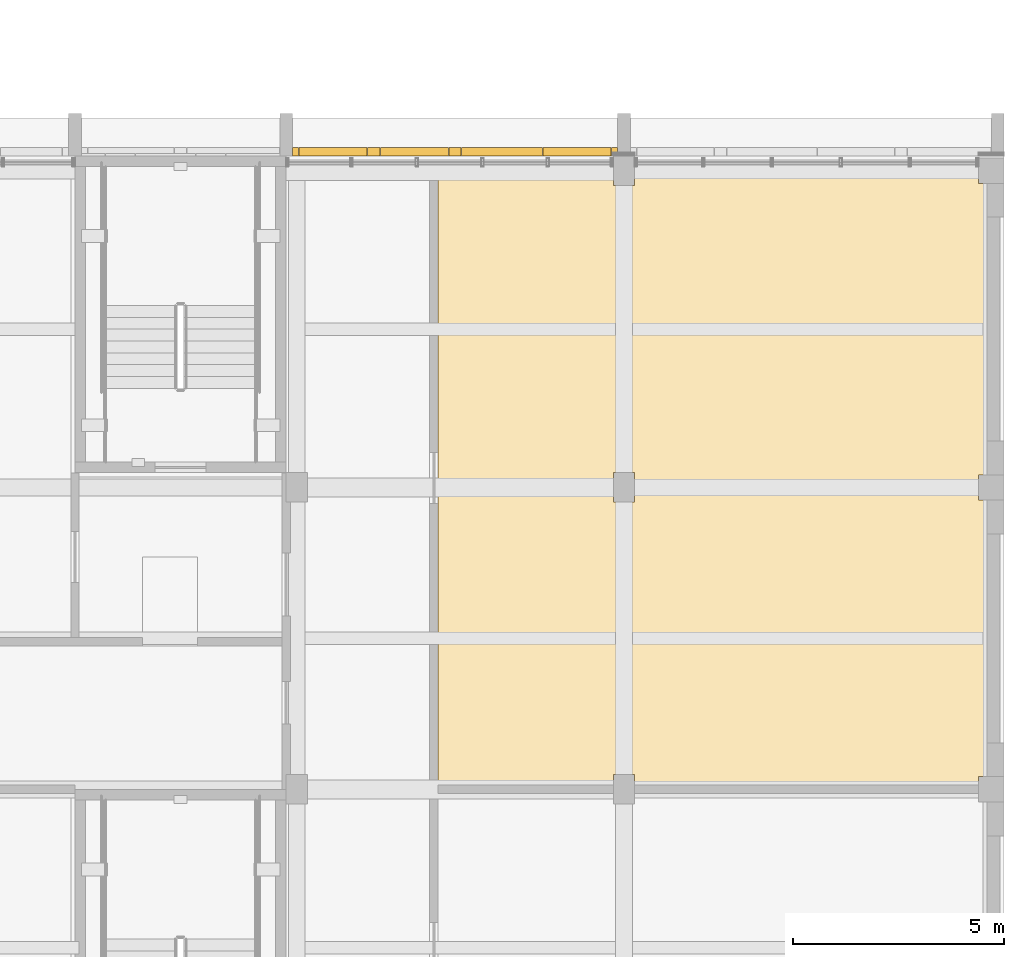
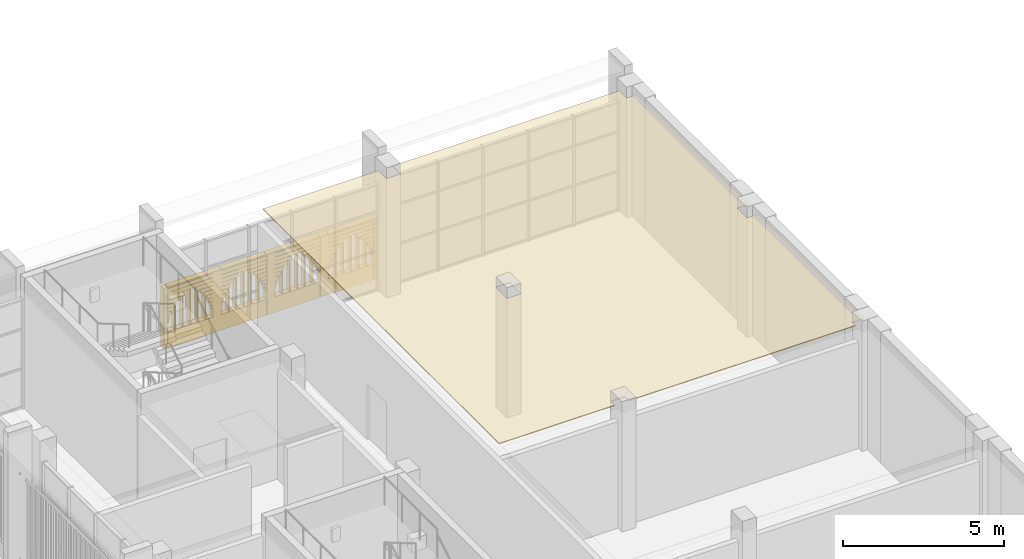
# One storey, part 124 of 125: 2 coverings.
"""IFC4 building model written with IfcOpenShell, lengths in metres."""

from ifc_helpers import new_model, si_unit, direction, frame, origin, origin_2d, place, context, subcontext, project, spatial, polyline, rectangle, outline, extrude, material, layer, layer_set, type_object, element, save


model = new_model("IFC4")

# Units and contexts
model_context = context("Model", 3, precision=1e-05, world=origin(), true_north=direction((0.0, 1.0)))
body_context = subcontext(model_context, "Body", "Model", "MODEL_VIEW")
ifc_project = project(units=[si_unit("LENGTHUNIT", "METRE"), si_unit("AREAUNIT", "SQUARE_METRE"), si_unit("VOLUMEUNIT", "CUBIC_METRE"), si_unit("PLANEANGLEUNIT", "RADIAN"), si_unit("MASSUNIT", "GRAM", prefix="KILO")], contexts=[model_context])

# Site, building, storey
site_placement = place(None, origin())
site = spatial("IfcSite", under=ifc_project, at=site_placement, CompositionType="ELEMENT")
building_placement = place(site_placement, origin())
building = spatial("IfcBuilding", under=site, at=building_placement, Name="Sun Court Science Centre", CompositionType="ELEMENT")
storey_placement = place(building_placement, frame((0.0, 0.0, 6.0)))
storey = spatial("IfcBuildingStorey", under=building, at=storey_placement, Name="L01", CompositionType="ELEMENT", Elevation=6.0)

# Coverings
ifc_material_1 = material(Name="Red sandstone", Category="masonry")
ifc_layer_1 = layer(ifc_material_1, 0.199951171875)
ifc_layer_set_1 = layer_set([ifc_layer_1], Name="Red sandstone")
covering_type_1 = type_object("IfcCoveringType", Name="Arched jali screen 200", PredefinedType="CLADDING", material=ifc_layer_set_1)
covering_1_placement = place(storey_placement, frame((0.0, 0.0, -6.0)))
element("IfcCovering", 1, at=covering_1_placement, inside=storey, type_object=covering_type_1, Name="Arched jali screen north L01 03", PredefinedType="CLADDING", context=body_context, shape_type="SweptSolid", body=[
    extrude(rectangle(XDim=0.139892578125, YDim=0.199951171875, at=origin_2d()), frame((87.22509765625, 81.10009765625, 6.304931640625), z_axis=(0.0, 0.0, 1.0), x_axis=(1.0, 0.0, 0.0)), (0.0, 0.0, 1.0), 2.29736328125),
    extrude(rectangle(XDim=0.2900390625, YDim=0.199951171875, at=origin_2d()), frame((89.074951171875, 81.10009765625, 6.304931640625), z_axis=(0.0, 0.0, 1.0), x_axis=(1.0, 0.0, 0.0)), (0.0, 0.0, 1.0), 2.29736328125),
    extrude(rectangle(XDim=0.2900390625, YDim=0.199951171875, at=origin_2d()), frame((91.0, 81.10009765625, 6.304931640625), z_axis=(0.0, 0.0, 1.0), x_axis=(1.0, 0.0, 0.0)), (0.0, 0.0, 1.0), 2.29736328125),
    extrude(rectangle(XDim=0.2900390625, YDim=0.199951171875, at=origin_2d()), frame((92.925048828125, 81.10009765625, 6.304931640625), z_axis=(0.0, 0.0, 1.0), x_axis=(1.0, 0.0, 0.0)), (0.0, 0.0, 1.0), 2.29736328125),
    extrude(rectangle(XDim=0.139892578125, YDim=0.199951171875, at=origin_2d()), frame((94.77490234375, 81.10009765625, 6.304931640625), z_axis=(0.0, 0.0, 1.0), x_axis=(1.0, 0.0, 0.0)), (0.0, 0.0, 1.0), 2.29736328125),
    extrude(rectangle(XDim=1.614990234375, YDim=0.199951171875, at=origin_2d()), frame((88.112548828125, 81.10009765625, 6.30517578125), z_axis=(0.0, 0.0, 1.0), x_axis=(1.0, 0.0, 0.0)), (0.0, 0.0, 1.0), 0.590087890625),
    extrude(rectangle(XDim=0.033935546875, YDim=0.199951171875, at=origin_2d()), frame((87.322021484375, 81.10009765625, 7.205078125), z_axis=(0.0, 0.0, 1.0), x_axis=(1.0, 0.0, 0.0)), (0.0, 0.0, 1.0), 0.139892578125),
    extrude(rectangle(XDim=0.033935546875, YDim=0.199951171875, at=origin_2d()), frame((88.903076171875, 81.10009765625, 7.205078125), z_axis=(0.0, 0.0, 1.0), x_axis=(1.0, 0.0, 0.0)), (0.0, 0.0, 1.0), 0.139892578125),
    extrude(rectangle(XDim=0.0771484375, YDim=0.199951171875, at=origin_2d()), frame((87.343505859375, 81.10009765625, 7.35498046875), z_axis=(0.0, 0.0, 1.0), x_axis=(1.0, 0.0, 0.0)), (0.0, 0.0, 1.0), 0.139892578125),
    extrude(rectangle(XDim=0.0771484375, YDim=0.199951171875, at=origin_2d()), frame((88.88134765625, 81.10009765625, 7.35498046875), z_axis=(0.0, 0.0, 1.0), x_axis=(1.0, 0.0, 0.0)), (0.0, 0.0, 1.0), 0.139892578125),
    extrude(rectangle(XDim=0.13671875, YDim=0.199951171875, at=origin_2d()), frame((87.373291015625, 81.10009765625, 7.5048828125), z_axis=(0.0, 0.0, 1.0), x_axis=(1.0, 0.0, 0.0)), (0.0, 0.0, 1.0), 0.139892578125),
    extrude(rectangle(XDim=0.13671875, YDim=0.199951171875, at=origin_2d()), frame((88.8515625, 81.10009765625, 7.5048828125), z_axis=(0.0, 0.0, 1.0), x_axis=(1.0, 0.0, 0.0)), (0.0, 0.0, 1.0), 0.139892578125),
    extrude(rectangle(XDim=0.215087890625, YDim=0.199951171875, at=origin_2d()), frame((87.41259765625, 81.10009765625, 7.6552734375), z_axis=(0.0, 0.0, 1.0), x_axis=(1.0, 0.0, 0.0)), (0.0, 0.0, 1.0), 0.139892578125),
    extrude(rectangle(XDim=0.215087890625, YDim=0.199951171875, at=origin_2d()), frame((88.8125, 81.10009765625, 7.6552734375), z_axis=(0.0, 0.0, 1.0), x_axis=(1.0, 0.0, 0.0)), (0.0, 0.0, 1.0), 0.139892578125),
    extrude(rectangle(XDim=0.31494140625, YDim=0.199951171875, at=origin_2d()), frame((87.46240234375, 81.10009765625, 7.80517578125), z_axis=(0.0, 0.0, 1.0), x_axis=(1.0, 0.0, 0.0)), (0.0, 0.0, 1.0), 0.139892578125),
    extrude(rectangle(XDim=0.31494140625, YDim=0.199951171875, at=origin_2d()), frame((88.762451171875, 81.10009765625, 7.80517578125), z_axis=(0.0, 0.0, 1.0), x_axis=(1.0, 0.0, 0.0)), (0.0, 0.0, 1.0), 0.139892578125),
    extrude(rectangle(XDim=0.4423828125, YDim=0.199951171875, at=origin_2d()), frame((87.526123046875, 81.10009765625, 7.955078125), z_axis=(0.0, 0.0, 1.0), x_axis=(1.0, 0.0, 0.0)), (0.0, 0.0, 1.0), 0.139892578125),
    extrude(rectangle(XDim=0.4423828125, YDim=0.199951171875, at=origin_2d()), frame((88.69873046875, 81.10009765625, 7.955078125), z_axis=(0.0, 0.0, 1.0), x_axis=(1.0, 0.0, 0.0)), (0.0, 0.0, 1.0), 0.139892578125),
    extrude(rectangle(XDim=0.607421875, YDim=0.199951171875, at=origin_2d()), frame((87.608642578125, 81.10009765625, 8.10498046875), z_axis=(0.0, 0.0, 1.0), x_axis=(1.0, 0.0, 0.0)), (0.0, 0.0, 1.0), 0.139892578125),
    extrude(rectangle(XDim=0.607421875, YDim=0.199951171875, at=origin_2d()), frame((88.6162109375, 81.10009765625, 8.10498046875), z_axis=(0.0, 0.0, 1.0), x_axis=(1.0, 0.0, 0.0)), (0.0, 0.0, 1.0), 0.139892578125),
    extrude(rectangle(XDim=1.614990234375, YDim=0.199951171875, at=origin_2d()), frame((88.112548828125, 81.10009765625, 8.2548828125), z_axis=(0.0, 0.0, 1.0), x_axis=(1.0, 0.0, 0.0)), (0.0, 0.0, 1.0), 0.139892578125),
    extrude(rectangle(XDim=1.614990234375, YDim=0.199951171875, at=origin_2d()), frame((88.112548828125, 81.10009765625, 8.4052734375), z_axis=(0.0, 0.0, 1.0), x_axis=(1.0, 0.0, 0.0)), (0.0, 0.0, 1.0), 0.139892578125),
    extrude(rectangle(XDim=1.614990234375, YDim=0.199951171875, at=origin_2d()), frame((88.112548828125, 81.10009765625, 8.554931640625), z_axis=(0.0, 0.0, 1.0), x_axis=(1.0, 0.0, 0.0)), (0.0, 0.0, 1.0), 0.04736328125),
    extrude(rectangle(XDim=0.0400390625, YDim=0.199951171875, at=origin_2d()), frame((87.57080078125, 81.10009765625, 6.905029296875), z_axis=(0.0, 0.0, 1.0), x_axis=(1.0, 0.0, 0.0)), (0.0, 0.0, 1.0), 0.88818359375),
    extrude(rectangle(XDim=0.0400390625, YDim=0.199951171875, at=origin_2d()), frame((87.841552734375, 81.10009765625, 6.905029296875), z_axis=(0.0, 0.0, 1.0), x_axis=(1.0, 0.0, 0.0)), (0.0, 0.0, 1.0), 1.201171875),
    extrude(rectangle(XDim=0.0400390625, YDim=0.199951171875, at=origin_2d()), frame((88.112548828125, 81.10009765625, 6.9052734375), z_axis=(0.0, 0.0, 1.0), x_axis=(1.0, 0.0, 0.0)), (0.0, 0.0, 1.0), 1.397216796875),
    extrude(rectangle(XDim=0.0400390625, YDim=0.199951171875, at=origin_2d()), frame((88.38330078125, 81.10009765625, 6.905029296875), z_axis=(0.0, 0.0, 1.0), x_axis=(1.0, 0.0, 0.0)), (0.0, 0.0, 1.0), 1.201171875),
    extrude(rectangle(XDim=0.0400390625, YDim=0.199951171875, at=origin_2d()), frame((88.654052734375, 81.10009765625, 6.905029296875), z_axis=(0.0, 0.0, 1.0), x_axis=(1.0, 0.0, 0.0)), (0.0, 0.0, 1.0), 0.88818359375),
    extrude(rectangle(XDim=1.614990234375, YDim=0.199951171875, at=origin_2d()), frame((90.03759765625, 81.10009765625, 6.30517578125), z_axis=(0.0, 0.0, 1.0), x_axis=(1.0, 0.0, 0.0)), (0.0, 0.0, 1.0), 0.590087890625),
    extrude(rectangle(XDim=0.033935546875, YDim=0.199951171875, at=origin_2d()), frame((89.246826171875, 81.10009765625, 7.205078125), z_axis=(0.0, 0.0, 1.0), x_axis=(1.0, 0.0, 0.0)), (0.0, 0.0, 1.0), 0.139892578125),
    extrude(rectangle(XDim=0.033935546875, YDim=0.199951171875, at=origin_2d()), frame((90.828125, 81.10009765625, 7.205078125), z_axis=(0.0, 0.0, 1.0), x_axis=(1.0, 0.0, 0.0)), (0.0, 0.0, 1.0), 0.139892578125),
    extrude(rectangle(XDim=0.0771484375, YDim=0.199951171875, at=origin_2d()), frame((89.2685546875, 81.10009765625, 7.35498046875), z_axis=(0.0, 0.0, 1.0), x_axis=(1.0, 0.0, 0.0)), (0.0, 0.0, 1.0), 0.139892578125),
    extrude(rectangle(XDim=0.0771484375, YDim=0.199951171875, at=origin_2d()), frame((90.806396484375, 81.10009765625, 7.35498046875), z_axis=(0.0, 0.0, 1.0), x_axis=(1.0, 0.0, 0.0)), (0.0, 0.0, 1.0), 0.139892578125),
    extrude(rectangle(XDim=0.13671875, YDim=0.199951171875, at=origin_2d()), frame((89.29833984375, 81.10009765625, 7.5048828125), z_axis=(0.0, 0.0, 1.0), x_axis=(1.0, 0.0, 0.0)), (0.0, 0.0, 1.0), 0.139892578125),
    extrude(rectangle(XDim=0.13671875, YDim=0.199951171875, at=origin_2d()), frame((90.776611328125, 81.10009765625, 7.5048828125), z_axis=(0.0, 0.0, 1.0), x_axis=(1.0, 0.0, 0.0)), (0.0, 0.0, 1.0), 0.139892578125),
    extrude(rectangle(XDim=0.215087890625, YDim=0.199951171875, at=origin_2d()), frame((89.33740234375, 81.10009765625, 7.6552734375), z_axis=(0.0, 0.0, 1.0), x_axis=(1.0, 0.0, 0.0)), (0.0, 0.0, 1.0), 0.139892578125),
    extrude(rectangle(XDim=0.215087890625, YDim=0.199951171875, at=origin_2d()), frame((90.737548828125, 81.10009765625, 7.6552734375), z_axis=(0.0, 0.0, 1.0), x_axis=(1.0, 0.0, 0.0)), (0.0, 0.0, 1.0), 0.139892578125),
    extrude(rectangle(XDim=0.31494140625, YDim=0.199951171875, at=origin_2d()), frame((89.387451171875, 81.10009765625, 7.80517578125), z_axis=(0.0, 0.0, 1.0), x_axis=(1.0, 0.0, 0.0)), (0.0, 0.0, 1.0), 0.139892578125),
    extrude(rectangle(XDim=0.31494140625, YDim=0.199951171875, at=origin_2d()), frame((90.6875, 81.10009765625, 7.80517578125), z_axis=(0.0, 0.0, 1.0), x_axis=(1.0, 0.0, 0.0)), (0.0, 0.0, 1.0), 0.139892578125),
    extrude(rectangle(XDim=0.4423828125, YDim=0.199951171875, at=origin_2d()), frame((89.451171875, 81.10009765625, 7.955078125), z_axis=(0.0, 0.0, 1.0), x_axis=(1.0, 0.0, 0.0)), (0.0, 0.0, 1.0), 0.139892578125),
    extrude(rectangle(XDim=0.4423828125, YDim=0.199951171875, at=origin_2d()), frame((90.623779296875, 81.10009765625, 7.955078125), z_axis=(0.0, 0.0, 1.0), x_axis=(1.0, 0.0, 0.0)), (0.0, 0.0, 1.0), 0.139892578125),
    extrude(rectangle(XDim=0.607421875, YDim=0.199951171875, at=origin_2d()), frame((89.53369140625, 81.10009765625, 8.10498046875), z_axis=(0.0, 0.0, 1.0), x_axis=(1.0, 0.0, 0.0)), (0.0, 0.0, 1.0), 0.139892578125),
    extrude(rectangle(XDim=0.607421875, YDim=0.199951171875, at=origin_2d()), frame((90.541259765625, 81.10009765625, 8.10498046875), z_axis=(0.0, 0.0, 1.0), x_axis=(1.0, 0.0, 0.0)), (0.0, 0.0, 1.0), 0.139892578125),
    extrude(rectangle(XDim=1.614990234375, YDim=0.199951171875, at=origin_2d()), frame((90.03759765625, 81.10009765625, 8.2548828125), z_axis=(0.0, 0.0, 1.0), x_axis=(1.0, 0.0, 0.0)), (0.0, 0.0, 1.0), 0.139892578125),
    extrude(rectangle(XDim=1.614990234375, YDim=0.199951171875, at=origin_2d()), frame((90.03759765625, 81.10009765625, 8.4052734375), z_axis=(0.0, 0.0, 1.0), x_axis=(1.0, 0.0, 0.0)), (0.0, 0.0, 1.0), 0.139892578125),
    extrude(rectangle(XDim=1.614990234375, YDim=0.199951171875, at=origin_2d()), frame((90.03759765625, 81.10009765625, 8.554931640625), z_axis=(0.0, 0.0, 1.0), x_axis=(1.0, 0.0, 0.0)), (0.0, 0.0, 1.0), 0.04736328125),
    extrude(rectangle(XDim=0.0400390625, YDim=0.199951171875, at=origin_2d()), frame((89.495849609375, 81.10009765625, 6.905029296875), z_axis=(0.0, 0.0, 1.0), x_axis=(1.0, 0.0, 0.0)), (0.0, 0.0, 1.0), 0.88818359375),
    extrude(rectangle(XDim=0.0400390625, YDim=0.199951171875, at=origin_2d()), frame((89.7666015625, 81.10009765625, 6.905029296875), z_axis=(0.0, 0.0, 1.0), x_axis=(1.0, 0.0, 0.0)), (0.0, 0.0, 1.0), 1.201171875),
    extrude(rectangle(XDim=0.0400390625, YDim=0.199951171875, at=origin_2d()), frame((90.03759765625, 81.10009765625, 6.9052734375), z_axis=(0.0, 0.0, 1.0), x_axis=(1.0, 0.0, 0.0)), (0.0, 0.0, 1.0), 1.397216796875),
    extrude(rectangle(XDim=0.0400390625, YDim=0.199951171875, at=origin_2d()), frame((90.308349609375, 81.10009765625, 6.905029296875), z_axis=(0.0, 0.0, 1.0), x_axis=(1.0, 0.0, 0.0)), (0.0, 0.0, 1.0), 1.201171875),
    extrude(rectangle(XDim=0.0400390625, YDim=0.199951171875, at=origin_2d()), frame((90.5791015625, 81.10009765625, 6.905029296875), z_axis=(0.0, 0.0, 1.0), x_axis=(1.0, 0.0, 0.0)), (0.0, 0.0, 1.0), 0.88818359375),
    extrude(rectangle(XDim=1.614990234375, YDim=0.199951171875, at=origin_2d()), frame((91.96240234375, 81.10009765625, 6.30517578125), z_axis=(0.0, 0.0, 1.0), x_axis=(1.0, 0.0, 0.0)), (0.0, 0.0, 1.0), 0.590087890625),
    extrude(rectangle(XDim=0.033935546875, YDim=0.199951171875, at=origin_2d()), frame((91.171875, 81.10009765625, 7.205078125), z_axis=(0.0, 0.0, 1.0), x_axis=(1.0, 0.0, 0.0)), (0.0, 0.0, 1.0), 0.139892578125),
    extrude(rectangle(XDim=0.033935546875, YDim=0.199951171875, at=origin_2d()), frame((92.753173828125, 81.10009765625, 7.205078125), z_axis=(0.0, 0.0, 1.0), x_axis=(1.0, 0.0, 0.0)), (0.0, 0.0, 1.0), 0.139892578125),
    extrude(rectangle(XDim=0.0771484375, YDim=0.199951171875, at=origin_2d()), frame((91.193603515625, 81.10009765625, 7.35498046875), z_axis=(0.0, 0.0, 1.0), x_axis=(1.0, 0.0, 0.0)), (0.0, 0.0, 1.0), 0.139892578125),
    extrude(rectangle(XDim=0.0771484375, YDim=0.199951171875, at=origin_2d()), frame((92.7314453125, 81.10009765625, 7.35498046875), z_axis=(0.0, 0.0, 1.0), x_axis=(1.0, 0.0, 0.0)), (0.0, 0.0, 1.0), 0.139892578125),
    extrude(rectangle(XDim=0.13671875, YDim=0.199951171875, at=origin_2d()), frame((91.223388671875, 81.10009765625, 7.5048828125), z_axis=(0.0, 0.0, 1.0), x_axis=(1.0, 0.0, 0.0)), (0.0, 0.0, 1.0), 0.139892578125),
    extrude(rectangle(XDim=0.13671875, YDim=0.199951171875, at=origin_2d()), frame((92.70166015625, 81.10009765625, 7.5048828125), z_axis=(0.0, 0.0, 1.0), x_axis=(1.0, 0.0, 0.0)), (0.0, 0.0, 1.0), 0.139892578125),
    extrude(rectangle(XDim=0.215087890625, YDim=0.199951171875, at=origin_2d()), frame((91.262451171875, 81.10009765625, 7.6552734375), z_axis=(0.0, 0.0, 1.0), x_axis=(1.0, 0.0, 0.0)), (0.0, 0.0, 1.0), 0.139892578125),
    extrude(rectangle(XDim=0.215087890625, YDim=0.199951171875, at=origin_2d()), frame((92.66259765625, 81.10009765625, 7.6552734375), z_axis=(0.0, 0.0, 1.0), x_axis=(1.0, 0.0, 0.0)), (0.0, 0.0, 1.0), 0.139892578125),
    extrude(rectangle(XDim=0.31494140625, YDim=0.199951171875, at=origin_2d()), frame((91.3125, 81.10009765625, 7.80517578125), z_axis=(0.0, 0.0, 1.0), x_axis=(1.0, 0.0, 0.0)), (0.0, 0.0, 1.0), 0.139892578125),
    extrude(rectangle(XDim=0.31494140625, YDim=0.199951171875, at=origin_2d()), frame((92.612548828125, 81.10009765625, 7.80517578125), z_axis=(0.0, 0.0, 1.0), x_axis=(1.0, 0.0, 0.0)), (0.0, 0.0, 1.0), 0.139892578125),
    extrude(rectangle(XDim=0.4423828125, YDim=0.199951171875, at=origin_2d()), frame((91.376220703125, 81.10009765625, 7.955078125), z_axis=(0.0, 0.0, 1.0), x_axis=(1.0, 0.0, 0.0)), (0.0, 0.0, 1.0), 0.139892578125),
    extrude(rectangle(XDim=0.4423828125, YDim=0.199951171875, at=origin_2d()), frame((92.548828125, 81.10009765625, 7.955078125), z_axis=(0.0, 0.0, 1.0), x_axis=(1.0, 0.0, 0.0)), (0.0, 0.0, 1.0), 0.139892578125),
    extrude(rectangle(XDim=0.607421875, YDim=0.199951171875, at=origin_2d()), frame((91.458740234375, 81.10009765625, 8.10498046875), z_axis=(0.0, 0.0, 1.0), x_axis=(1.0, 0.0, 0.0)), (0.0, 0.0, 1.0), 0.139892578125),
    extrude(rectangle(XDim=0.607421875, YDim=0.199951171875, at=origin_2d()), frame((92.46630859375, 81.10009765625, 8.10498046875), z_axis=(0.0, 0.0, 1.0), x_axis=(1.0, 0.0, 0.0)), (0.0, 0.0, 1.0), 0.139892578125),
    extrude(rectangle(XDim=1.614990234375, YDim=0.199951171875, at=origin_2d()), frame((91.96240234375, 81.10009765625, 8.2548828125), z_axis=(0.0, 0.0, 1.0), x_axis=(1.0, 0.0, 0.0)), (0.0, 0.0, 1.0), 0.139892578125),
    extrude(rectangle(XDim=1.614990234375, YDim=0.199951171875, at=origin_2d()), frame((91.96240234375, 81.10009765625, 8.4052734375), z_axis=(0.0, 0.0, 1.0), x_axis=(1.0, 0.0, 0.0)), (0.0, 0.0, 1.0), 0.139892578125),
    extrude(rectangle(XDim=1.614990234375, YDim=0.199951171875, at=origin_2d()), frame((91.96240234375, 81.10009765625, 8.554931640625), z_axis=(0.0, 0.0, 1.0), x_axis=(1.0, 0.0, 0.0)), (0.0, 0.0, 1.0), 0.04736328125),
    extrude(rectangle(XDim=0.0400390625, YDim=0.199951171875, at=origin_2d()), frame((91.4208984375, 81.10009765625, 6.905029296875), z_axis=(0.0, 0.0, 1.0), x_axis=(1.0, 0.0, 0.0)), (0.0, 0.0, 1.0), 0.88818359375),
    extrude(rectangle(XDim=0.0400390625, YDim=0.199951171875, at=origin_2d()), frame((91.691650390625, 81.10009765625, 6.905029296875), z_axis=(0.0, 0.0, 1.0), x_axis=(1.0, 0.0, 0.0)), (0.0, 0.0, 1.0), 1.201171875),
    extrude(rectangle(XDim=0.0400390625, YDim=0.199951171875, at=origin_2d()), frame((91.96240234375, 81.10009765625, 6.9052734375), z_axis=(0.0, 0.0, 1.0), x_axis=(1.0, 0.0, 0.0)), (0.0, 0.0, 1.0), 1.397216796875),
    extrude(rectangle(XDim=0.0400390625, YDim=0.199951171875, at=origin_2d()), frame((92.2333984375, 81.10009765625, 6.905029296875), z_axis=(0.0, 0.0, 1.0), x_axis=(1.0, 0.0, 0.0)), (0.0, 0.0, 1.0), 1.201171875),
    extrude(rectangle(XDim=0.0400390625, YDim=0.199951171875, at=origin_2d()), frame((92.504150390625, 81.10009765625, 6.905029296875), z_axis=(0.0, 0.0, 1.0), x_axis=(1.0, 0.0, 0.0)), (0.0, 0.0, 1.0), 0.88818359375),
    extrude(rectangle(XDim=1.614990234375, YDim=0.199951171875, at=origin_2d()), frame((93.887451171875, 81.10009765625, 6.30517578125), z_axis=(0.0, 0.0, 1.0), x_axis=(1.0, 0.0, 0.0)), (0.0, 0.0, 1.0), 0.590087890625),
    extrude(rectangle(XDim=0.033935546875, YDim=0.199951171875, at=origin_2d()), frame((93.096923828125, 81.10009765625, 7.205078125), z_axis=(0.0, 0.0, 1.0), x_axis=(1.0, 0.0, 0.0)), (0.0, 0.0, 1.0), 0.139892578125),
    extrude(rectangle(XDim=0.033935546875, YDim=0.199951171875, at=origin_2d()), frame((94.677978515625, 81.10009765625, 7.205078125), z_axis=(0.0, 0.0, 1.0), x_axis=(1.0, 0.0, 0.0)), (0.0, 0.0, 1.0), 0.139892578125),
    extrude(rectangle(XDim=0.0771484375, YDim=0.199951171875, at=origin_2d()), frame((93.11865234375, 81.10009765625, 7.35498046875), z_axis=(0.0, 0.0, 1.0), x_axis=(1.0, 0.0, 0.0)), (0.0, 0.0, 1.0), 0.139892578125),
    extrude(rectangle(XDim=0.0771484375, YDim=0.199951171875, at=origin_2d()), frame((94.656494140625, 81.10009765625, 7.35498046875), z_axis=(0.0, 0.0, 1.0), x_axis=(1.0, 0.0, 0.0)), (0.0, 0.0, 1.0), 0.139892578125),
    extrude(rectangle(XDim=0.13671875, YDim=0.199951171875, at=origin_2d()), frame((93.1484375, 81.10009765625, 7.5048828125), z_axis=(0.0, 0.0, 1.0), x_axis=(1.0, 0.0, 0.0)), (0.0, 0.0, 1.0), 0.139892578125),
    extrude(rectangle(XDim=0.13671875, YDim=0.199951171875, at=origin_2d()), frame((94.626708984375, 81.10009765625, 7.5048828125), z_axis=(0.0, 0.0, 1.0), x_axis=(1.0, 0.0, 0.0)), (0.0, 0.0, 1.0), 0.139892578125),
    extrude(rectangle(XDim=0.215087890625, YDim=0.199951171875, at=origin_2d()), frame((93.1875, 81.10009765625, 7.6552734375), z_axis=(0.0, 0.0, 1.0), x_axis=(1.0, 0.0, 0.0)), (0.0, 0.0, 1.0), 0.139892578125),
    extrude(rectangle(XDim=0.215087890625, YDim=0.199951171875, at=origin_2d()), frame((94.58740234375, 81.10009765625, 7.6552734375), z_axis=(0.0, 0.0, 1.0), x_axis=(1.0, 0.0, 0.0)), (0.0, 0.0, 1.0), 0.139892578125),
    extrude(rectangle(XDim=0.31494140625, YDim=0.199951171875, at=origin_2d()), frame((93.237548828125, 81.10009765625, 7.80517578125), z_axis=(0.0, 0.0, 1.0), x_axis=(1.0, 0.0, 0.0)), (0.0, 0.0, 1.0), 0.139892578125),
    extrude(rectangle(XDim=0.31494140625, YDim=0.199951171875, at=origin_2d()), frame((94.53759765625, 81.10009765625, 7.80517578125), z_axis=(0.0, 0.0, 1.0), x_axis=(1.0, 0.0, 0.0)), (0.0, 0.0, 1.0), 0.139892578125),
    extrude(rectangle(XDim=0.4423828125, YDim=0.199951171875, at=origin_2d()), frame((93.30126953125, 81.10009765625, 7.955078125), z_axis=(0.0, 0.0, 1.0), x_axis=(1.0, 0.0, 0.0)), (0.0, 0.0, 1.0), 0.139892578125),
    extrude(rectangle(XDim=0.4423828125, YDim=0.199951171875, at=origin_2d()), frame((94.473876953125, 81.10009765625, 7.955078125), z_axis=(0.0, 0.0, 1.0), x_axis=(1.0, 0.0, 0.0)), (0.0, 0.0, 1.0), 0.139892578125),
    extrude(rectangle(XDim=0.607421875, YDim=0.199951171875, at=origin_2d()), frame((93.3837890625, 81.10009765625, 8.10498046875), z_axis=(0.0, 0.0, 1.0), x_axis=(1.0, 0.0, 0.0)), (0.0, 0.0, 1.0), 0.139892578125),
    extrude(rectangle(XDim=0.607421875, YDim=0.199951171875, at=origin_2d()), frame((94.391357421875, 81.10009765625, 8.10498046875), z_axis=(0.0, 0.0, 1.0), x_axis=(1.0, 0.0, 0.0)), (0.0, 0.0, 1.0), 0.139892578125),
    extrude(rectangle(XDim=1.614990234375, YDim=0.199951171875, at=origin_2d()), frame((93.887451171875, 81.10009765625, 8.2548828125), z_axis=(0.0, 0.0, 1.0), x_axis=(1.0, 0.0, 0.0)), (0.0, 0.0, 1.0), 0.139892578125),
    extrude(rectangle(XDim=1.614990234375, YDim=0.199951171875, at=origin_2d()), frame((93.887451171875, 81.10009765625, 8.4052734375), z_axis=(0.0, 0.0, 1.0), x_axis=(1.0, 0.0, 0.0)), (0.0, 0.0, 1.0), 0.139892578125),
    extrude(rectangle(XDim=1.614990234375, YDim=0.199951171875, at=origin_2d()), frame((93.887451171875, 81.10009765625, 8.554931640625), z_axis=(0.0, 0.0, 1.0), x_axis=(1.0, 0.0, 0.0)), (0.0, 0.0, 1.0), 0.04736328125),
    extrude(rectangle(XDim=0.0400390625, YDim=0.199951171875, at=origin_2d()), frame((93.345947265625, 81.10009765625, 6.905029296875), z_axis=(0.0, 0.0, 1.0), x_axis=(1.0, 0.0, 0.0)), (0.0, 0.0, 1.0), 0.88818359375),
    extrude(rectangle(XDim=0.0400390625, YDim=0.199951171875, at=origin_2d()), frame((93.61669921875, 81.10009765625, 6.905029296875), z_axis=(0.0, 0.0, 1.0), x_axis=(1.0, 0.0, 0.0)), (0.0, 0.0, 1.0), 1.201171875),
    extrude(rectangle(XDim=0.0400390625, YDim=0.199951171875, at=origin_2d()), frame((93.887451171875, 81.10009765625, 6.9052734375), z_axis=(0.0, 0.0, 1.0), x_axis=(1.0, 0.0, 0.0)), (0.0, 0.0, 1.0), 1.397216796875),
    extrude(rectangle(XDim=0.0400390625, YDim=0.199951171875, at=origin_2d()), frame((94.158447265625, 81.10009765625, 6.905029296875), z_axis=(0.0, 0.0, 1.0), x_axis=(1.0, 0.0, 0.0)), (0.0, 0.0, 1.0), 1.201171875),
    extrude(rectangle(XDim=0.0400390625, YDim=0.199951171875, at=origin_2d()), frame((94.42919921875, 81.10009765625, 6.905029296875), z_axis=(0.0, 0.0, 1.0), x_axis=(1.0, 0.0, 0.0)), (0.0, 0.0, 1.0), 0.88818359375),
])
ifc_material_2 = material(Name="Gypsum board")
ifc_layer_2 = layer(ifc_material_2, 0.030029296875)
ifc_layer_set_2 = layer_set([ifc_layer_2], Name="Gypsum board")
covering_type_2 = type_object("IfcCoveringType", Name="Ceiling suspended 600 module", PredefinedType="CEILING", material=ifc_layer_set_2)
covering_2_placement = place(storey_placement, frame((0.0, 0.0, 4.52001953125)))
element("IfcCovering", 2, at=covering_2_placement, inside=storey, type_object=covering_type_2, Name="L01-058 ceiling", PredefinedType="CEILING", context=body_context, shape_type="SweptSolid", body=[
    extrude(outline(polyline([(103.800048828125, 73.449951171875), (103.39990234375, 73.449951171875), (103.39990234375, 72.85009765625), (103.800048828125, 72.85009765625), (103.800048828125, 66.300048828125), (103.39990234375, 66.300048828125), (103.39990234375, 66.10009765625), (95.25, 66.10009765625), (95.25, 66.35009765625), (94.75, 66.35009765625), (94.75, 66.10009765625), (90.60009765625, 66.10009765625), (90.60009765625, 80.800048828125), (94.75, 80.800048828125), (94.75, 80.300048828125), (95.25, 80.300048828125), (95.25, 80.800048828125), (103.39990234375, 80.800048828125), (103.39990234375, 80.35009765625), (103.800048828125, 80.35009765625), (103.800048828125, 73.449951171875)]), holes=[polyline([(95.25, 72.800048828125), (95.25, 73.5), (94.75, 73.5), (94.75, 72.800048828125), (95.25, 72.800048828125)])]), origin(), (0.0, 0.0, 1.0), 0.030029296875),
])

save(model, "model.ifc")
